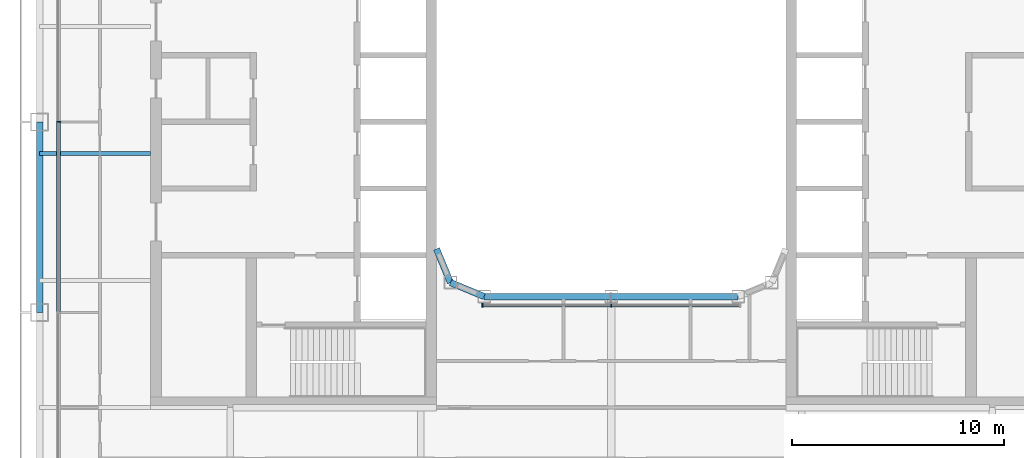
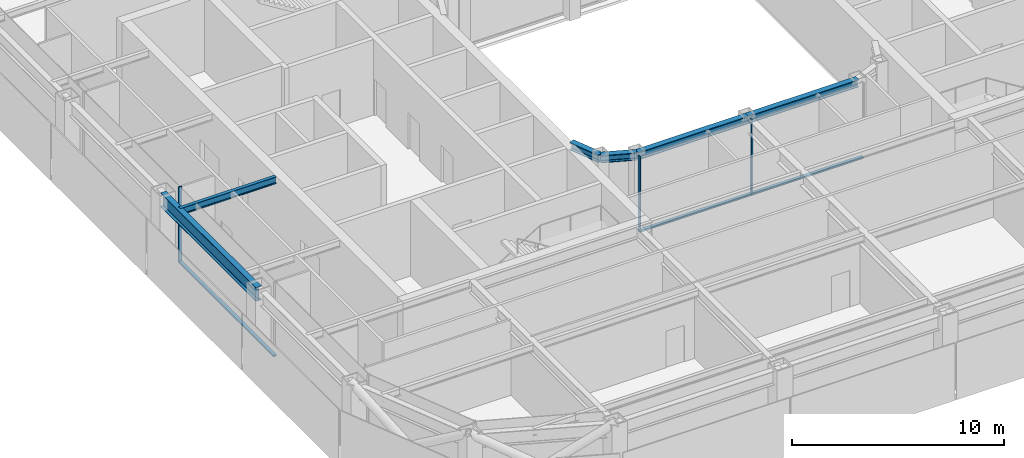
# One storey, part 3 of 23: 6 beams, 6 members, 2 elements without a shape of their own.
"""IFC4 building model written with IfcOpenShell, lengths in metres."""

from ifc_helpers import new_model, si_unit, direction, frame, origin, origin_2d, place, context, subcontext, project, spatial, rectangle, i_section, extrude, material, layer, layer_set, material_profile, profile_set, type_object, element, aggregate, save


model = new_model("IFC4")

# Units and contexts
model_context = context("Model", 3, precision=1e-05, world=origin(), true_north=direction((0.0, 1.0)))
body_context = subcontext(model_context, "Body", "Model", "MODEL_VIEW")
ifc_project = project(units=[si_unit("LENGTHUNIT", "METRE"), si_unit("AREAUNIT", "SQUARE_METRE"), si_unit("VOLUMEUNIT", "CUBIC_METRE"), si_unit("PLANEANGLEUNIT", "RADIAN"), si_unit("MASSUNIT", "GRAM", prefix="KILO")], contexts=[model_context])

# Site, building, storey
site_placement = place(None, origin())
site = spatial("IfcSite", under=ifc_project, at=site_placement, CompositionType="ELEMENT")
building_placement = place(site_placement, origin())
building = spatial("IfcBuilding", under=site, at=building_placement, Name="Siwar Civic Tower", CompositionType="ELEMENT")
storey_placement = place(building_placement, frame((0.0, 0.0, 206.199951171875)))
storey = spatial("IfcBuildingStorey", under=building, at=storey_placement, Name="L44", CompositionType="ELEMENT", Elevation=206.199951171875)

# Curtain wall, member
ifc_material_1 = material(Name="Aluminium and glass", Category="aluminium")
ifc_layer_1 = layer(ifc_material_1, 0.179931640625)
ifc_layer_set_1 = layer_set([ifc_layer_1], Name="Aluminium and glass")
curtain_wall_type_1 = type_object("IfcCurtainWallType", Name="ENV-CW-C", PredefinedType="NOTDEFINED", material=ifc_layer_set_1)
curtain_wall_1_placement = place(storey_placement, origin())
curtain_wall_1 = element("IfcCurtainWall", 1, at=curtain_wall_1_placement, inside=storey, type_object=curtain_wall_type_1, Name="Curtain wall C W", PredefinedType="NOTDEFINED")
ifc_material_2 = material(Name="Aluminium 6063-T6", Category="aluminium")
ifc_material_profile_1 = material_profile(ifc_material_2, rectangle(XDim=0.179931640625, YDim=0.06005859375, at=origin_2d()), Name="AL 180x60")
ifc_profile_set_1 = profile_set([ifc_material_profile_1], Name="Aluminium 6063-T6")
member_type_1 = type_object("IfcMemberType", Name="ENV-MULLION-C", PredefinedType="MULLION", material=ifc_profile_set_1)
member_1_placement = place(storey_placement, frame((-26.10009765625, 0.0, 0.0), z_axis=(0.0, 0.0, 1.0), x_axis=(1.0, 0.0, 0.0)))
member_1 = element("IfcMember", 2, at=member_1_placement, type_object=member_type_1, Name="Mullion C W 3", PredefinedType="MULLION", context=body_context, shape_type="SweptSolid", body=[
    extrude(rectangle(XDim=0.179931640625, YDim=0.06005859375, at=origin_2d()), origin(), (0.0, 0.0, 1.0), 4.35009765625),
])

# Curtain wall, members
ifc_material_3 = material(Name="Aluminium and glass", Category="aluminium")
ifc_layer_2 = layer(ifc_material_3, 0.179931640625)
ifc_layer_set_2 = layer_set([ifc_layer_2], Name="Aluminium and glass")
curtain_wall_type_2 = type_object("IfcCurtainWallType", Name="ENV-CW-W", PredefinedType="NOTDEFINED", material=ifc_layer_set_2)
curtain_wall_2_placement = place(storey_placement, origin())
curtain_wall_2 = element("IfcCurtainWall", 3, at=curtain_wall_2_placement, inside=storey, type_object=curtain_wall_type_2, Name="Curtain wall W WS", PredefinedType="NOTDEFINED")
ifc_material_4 = material(Name="Aluminium 6063-T6", Category="aluminium")
ifc_material_profile_2 = material_profile(ifc_material_4, rectangle(XDim=0.179931640625, YDim=0.06005859375, at=origin_2d()), Name="AL 180x60")
ifc_profile_set_2 = profile_set([ifc_material_profile_2], Name="Aluminium 6063-T6")
member_type_2 = type_object("IfcMemberType", Name="ENV-MULLION-W", PredefinedType="MULLION", material=ifc_profile_set_2)
member_2_placement = place(storey_placement, frame((-6.08154296875, -8.659912109375, 0.0), z_axis=(0.0, 0.0, 1.0), x_axis=(0.0, 1.0, 0.0)))
member_2 = element("IfcMember", 4, at=member_2_placement, type_object=member_type_2, Name="Mullion W WS 1", PredefinedType="MULLION", context=body_context, shape_type="SweptSolid", body=[
    extrude(rectangle(XDim=0.179931640625, YDim=0.06005859375, at=origin_2d()), origin(), (0.0, 0.0, 1.0), 4.35009765625),
])
member_3_placement = place(storey_placement, frame((0.0, -8.659912109375, 0.0), z_axis=(0.0, 0.0, 1.0), x_axis=(0.0, 1.0, 0.0)))
member_3 = element("IfcMember", 5, at=member_3_placement, type_object=member_type_2, Name="Mullion W WS 2", PredefinedType="MULLION", context=body_context, shape_type="SweptSolid", body=[
    extrude(rectangle(XDim=0.179931640625, YDim=0.06005859375, at=origin_2d()), origin(), (0.0, 0.0, 1.0), 4.35009765625),
])

# Member
ifc_material_5 = material(Name="Aluminium 6063-T6", Category="aluminium")
ifc_material_profile_3 = material_profile(ifc_material_5, rectangle(XDim=0.179931640625, YDim=0.10009765625, at=origin_2d()), Name="AL 180x100")
ifc_profile_set_3 = profile_set([ifc_material_profile_3], Name="Aluminium 6063-T6")
member_type_3 = type_object("IfcMemberType", Name="ENV-TRANSOM-C", PredefinedType="USERDEFINED", material=ifc_profile_set_3)
member_4_placement = place(storey_placement, frame((-26.10009765625, -0.030029296875, 0.050048828125), z_axis=(0.0, -1.0, 0.0), x_axis=(1.0, 0.0, 0.0)))
member_4 = element("IfcMember", 6, at=member_4_placement, type_object=member_type_3, Name="Transom C W 3", ObjectType="TRANSOM", PredefinedType="USERDEFINED", context=body_context, shape_type="SweptSolid", body=[
    extrude(rectangle(XDim=0.179931640625, YDim=0.10009765625, at=origin_2d()), origin(), (0.0, 0.0, 1.0), 8.93994140625),
])

aggregate(curtain_wall_1, [member_1, member_4])

ifc_material_6 = material(Name="Aluminium 6063-T6", Category="aluminium")
ifc_material_profile_4 = material_profile(ifc_material_6, rectangle(XDim=0.179931640625, YDim=0.10009765625, at=origin_2d()), Name="AL 180x100")
ifc_profile_set_4 = profile_set([ifc_material_profile_4], Name="Aluminium 6063-T6")
member_type_4 = type_object("IfcMemberType", Name="ENV-TRANSOM-W", PredefinedType="USERDEFINED", material=ifc_profile_set_4)
member_5_placement = place(storey_placement, frame((-6.051513671875, -8.659912109375, 0.050048828125), z_axis=(1.0, 0.0, 0.0), x_axis=(0.0, 1.0, 0.0)))
member_5 = element("IfcMember", 7, at=member_5_placement, type_object=member_type_4, Name="Transom W WS 1", ObjectType="TRANSOM", PredefinedType="USERDEFINED", context=body_context, shape_type="SweptSolid", body=[
    extrude(rectangle(XDim=0.179931640625, YDim=0.10009765625, at=origin_2d()), origin(), (0.0, 0.0, 1.0), 6.021484375),
])

member_6_placement = place(storey_placement, frame((0.030029296875, -8.659912109375, 0.050048828125), z_axis=(1.0, 0.0, 0.0), x_axis=(0.0, 1.0, 0.0)))
member_6 = element("IfcMember", 8, at=member_6_placement, type_object=member_type_4, Name="Transom W WS 2", ObjectType="TRANSOM", PredefinedType="USERDEFINED", context=body_context, shape_type="SweptSolid", body=[
    extrude(rectangle(XDim=0.179931640625, YDim=0.10009765625, at=origin_2d()), origin(), (0.0, 0.0, 1.0), 6.021484375),
])

aggregate(curtain_wall_2, [member_2, member_3, member_5, member_6])

# Beams
ifc_material_7 = material(Name="Steel S355", Category="steel")
ifc_material_profile_5 = material_profile(ifc_material_7, i_section(OverallWidth=0.179931640625, OverallDepth=0.39990234375, WebThickness=0.008544921875, FlangeThickness=0.013427734375, FilletRadius=0.02099609375, at=origin_2d()), Name="IPE400")
ifc_profile_set_5 = profile_set([ifc_material_profile_5], Name="Steel S355")
beam_type_1 = type_object("IfcBeamType", Name="STR-FB-IPE400", PredefinedType="JOIST", material=ifc_profile_set_5)
beam_1_placement = place(storey_placement, frame((-27.0, -1.5, 4.150146484375), z_axis=(1.0, 0.0, 0.0), x_axis=(0.0, 1.0, 0.0)))
element("IfcBeam", 9, at=beam_1_placement, inside=storey, type_object=beam_type_1, Name="L44/bm/F023", PredefinedType="JOIST", context=body_context, shape_type="SweptSolid", body=[
    extrude(i_section(OverallWidth=0.179931640625, OverallDepth=0.39990234375, WebThickness=0.008544921875, FlangeThickness=0.013427734375, FilletRadius=0.02099609375, at=origin_2d()), origin(), (0.0, 0.0, 1.0), 5.25),
])
ifc_material_8 = material(Name="Steel S355", Category="steel")
ifc_material_profile_6 = material_profile(ifc_material_8, i_section(OverallWidth=0.306884765625, OverallDepth=0.431884765625, WebThickness=0.02099609375, FlangeThickness=0.0400390625, FilletRadius=0.027099609375, at=origin_2d()), Name="HEM400")
ifc_profile_set_6 = profile_set([ifc_material_profile_6], Name="Steel S355")
beam_type_2 = type_object("IfcBeamType", Name="STR-RB-HEM400", PredefinedType="BEAM", material=ifc_profile_set_6)
beam_2_placement = place(storey_placement, frame((-7.591064453125, -7.591064453125, 4.134033203125), z_axis=(0.923901072997, -0.382631424892, 0.0), x_axis=(0.382631424892, 0.923901072997, 0.0)))
element("IfcBeam", 10, at=beam_2_placement, inside=storey, type_object=beam_type_2, Name="L44/bm/RS0", PredefinedType="BEAM", context=body_context, shape_type="SweptSolid", body=[
    extrude(i_section(OverallWidth=0.306884765625, OverallDepth=0.431884765625, WebThickness=0.02099609375, FlangeThickness=0.0400390625, FilletRadius=0.027099609375, at=origin_2d()), origin(), (0.0, 0.0, 1.0), 1.72216796875),
])
for number, where, z_axis, x_axis, name in (
    (11, (-6.0, -8.25, 4.134033203125), (1.0, 0.0, 0.0), (0.0, 1.0, 0.0), "L44/bm/RS1"),
    (12, (0.0, -8.25, 4.134033203125), (1.0, 0.0, 0.0), (0.0, 1.0, 0.0), "L44/bm/RS2"),
):
    element("IfcBeam", number, at=place(storey_placement, frame(where, z_axis=z_axis, x_axis=x_axis)), inside=storey, type_object=beam_type_2, Name=name, PredefinedType="BEAM", context=body_context, shape_type="SweptSolid", body=[
        extrude(i_section(OverallWidth=0.306884765625, OverallDepth=0.431884765625, WebThickness=0.02099609375, FlangeThickness=0.0400390625, FilletRadius=0.027099609375, at=origin_2d()), origin(), (0.0, 0.0, 1.0), 6.0),
    ])
beam_3_placement = place(storey_placement, frame((-7.591064453125, -7.591064453125, 4.134033203125), z_axis=(-0.382631424892, 0.923901072997, 0.0), x_axis=(-0.923901072997, -0.382631424892, 0.0)))
element("IfcBeam", 13, at=beam_3_placement, inside=storey, type_object=beam_type_2, Name="L44/bm/RSEW", PredefinedType="BEAM", context=body_context, shape_type="SweptSolid", body=[
    extrude(i_section(OverallWidth=0.306884765625, OverallDepth=0.431884765625, WebThickness=0.02099609375, FlangeThickness=0.0400390625, FilletRadius=0.027099609375, at=origin_2d()), origin(), (0.0, 0.0, 1.0), 1.72216796875),
])
ifc_material_9 = material(Name="Steel S355", Category="steel")
ifc_material_profile_7 = material_profile(ifc_material_9, i_section(OverallWidth=0.300048828125, OverallDepth=0.800048828125, WebThickness=0.017578125, FlangeThickness=0.032958984375, FilletRadius=0.030029296875, at=origin_2d()), Name="HEB800")
ifc_profile_set_7 = profile_set([ifc_material_profile_7], Name="Steel S355")
beam_type_3 = type_object("IfcBeamType", Name="STR-SB-HEB800", PredefinedType="BEAM", material=ifc_profile_set_7)
beam_4_placement = place(storey_placement, frame((-27.0, 0.0, 3.949951171875), z_axis=(0.0, -1.0, 0.0), x_axis=(1.0, 0.0, 0.0)))
element("IfcBeam", 14, at=beam_4_placement, inside=storey, type_object=beam_type_3, Name="L44/bm/SW-2", PredefinedType="BEAM", context=body_context, shape_type="SweptSolid", body=[
    extrude(i_section(OverallWidth=0.300048828125, OverallDepth=0.800048828125, WebThickness=0.017578125, FlangeThickness=0.032958984375, FilletRadius=0.030029296875, at=origin_2d()), origin(), (0.0, 0.0, 1.0), 9.0),
])

save(model, "model.ifc")
